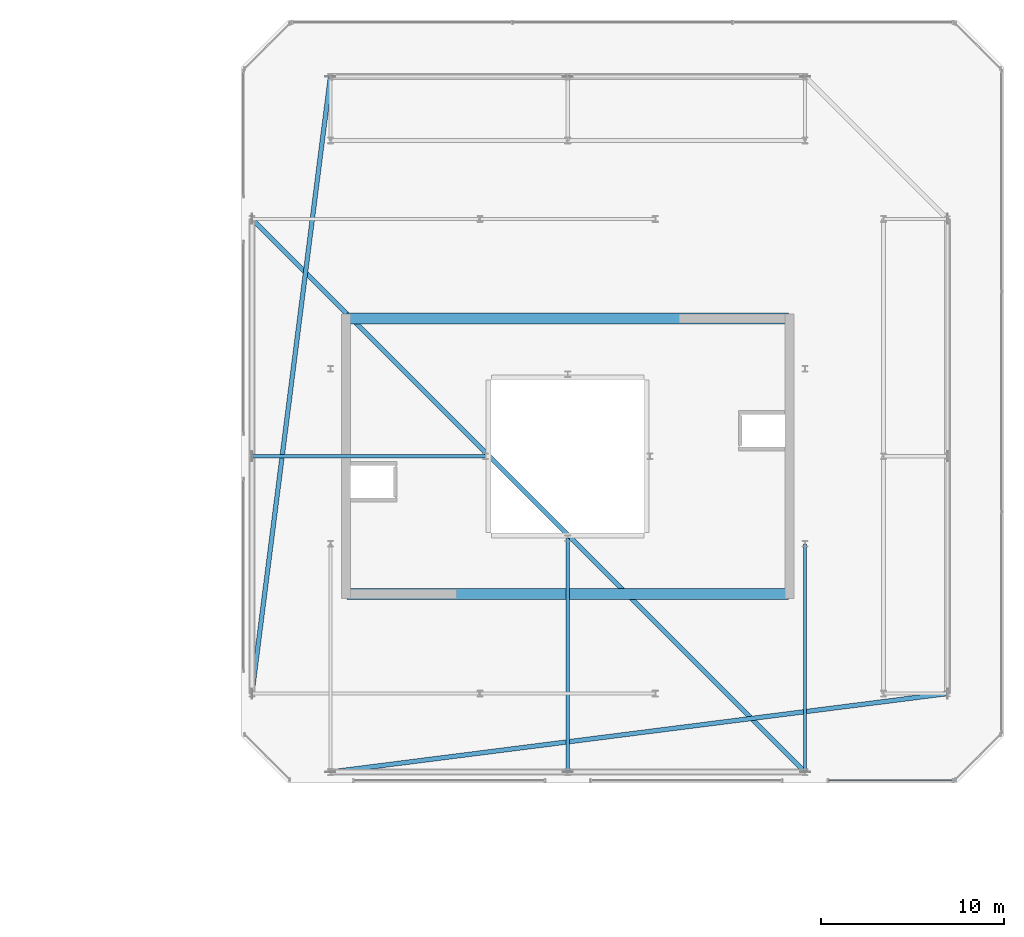
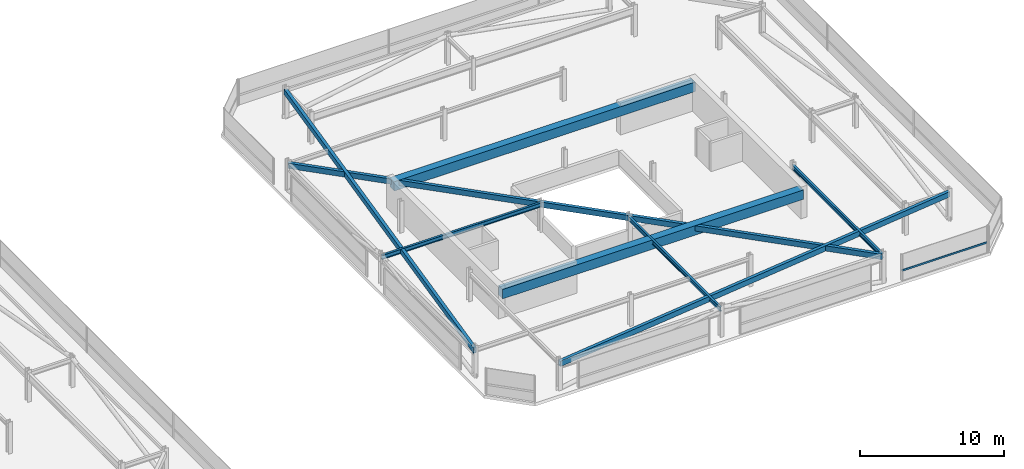
# One storey, part 30 of 42: 8 beams, 1 member, 1 element without a shape of its own.
"""IFC4 building model written with IfcOpenShell, lengths in metres."""

import ifcopenshell
import ifcopenshell.guid

model = None  # the IFC model being written
_history = None  # IfcOwnerHistory: only IFC2X3 demands one
_inside = {}  # id of a spatial element -> (the spatial element, [elements in it])
_under = {}  # id of a project, library or spatial element -> (it, [spatial elements below it])
_declared = {}  # id of a project -> (the project, [libraries it declares])
_typed = {}  # id of a type object -> (the type object, [elements of that type])
_made_of = {}  # id of a material, layer set ... -> (it, [elements and type objects made of it])


def new_model(schema):
    """Start an empty IFC model of exactly this schema.

    Asked for "IFC4X3", IfcOpenShell would pick the latest addendum, in which some entities
    have other attributes; the version numbers below select the first issue.
    IFC2X3 requires an IfcOwnerHistory on every rooted entity: one is made here for all.
    """
    global model, _history
    if schema == "IFC4X3":
        model = ifcopenshell.file(schema_version=(4, 3, 0, 0))
    else:
        model = ifcopenshell.file(schema=schema)
    _inside.clear()
    _under.clear()
    _declared.clear()
    _typed.clear()
    _made_of.clear()
    _history = None
    if model.schema == "IFC2X3":
        org = make("IfcOrganization", Name="unknown")
        user = make(
            "IfcPersonAndOrganization",
            ThePerson=make("IfcPerson", FamilyName="unknown"),
            TheOrganization=org,
        )
        app = make(
            "IfcApplication",
            ApplicationDeveloper=org,
            Version="unknown",
            ApplicationFullName="unknown",
            ApplicationIdentifier="unknown",
        )
        _history = make(
            "IfcOwnerHistory",
            OwningUser=user,
            OwningApplication=app,
            ChangeAction="ADDED",
            CreationDate=0,
        )
    return model


def make(cls, **values):
    """One entity of the class cls with the attributes given. An attribute that is None is left unset."""
    return model.create_entity(
        cls, **{name: value for name, value in values.items() if value is not None}
    )


def rooted(cls, **values):
    """An entity with a GlobalId (a new one), such as an element, a storey or a relation."""
    return make(cls, GlobalId=ifcopenshell.guid.new(), OwnerHistory=_history, **values)


def si_unit(unit_type, name, prefix=None):
    """IfcSIUnit, for example si_unit("LENGTHUNIT", "METRE", prefix="MILLI")."""
    return make("IfcSIUnit", UnitType=unit_type, Prefix=prefix, Name=name)


def assignment(units):
    """IfcUnitAssignment: the units of a project."""
    return None if units is None else make("IfcUnitAssignment", Units=units)


def point(xyz):
    """IfcCartesianPoint."""
    return None if xyz is None else make("IfcCartesianPoint", Coordinates=xyz)


def direction(xyz):
    """IfcDirection."""
    return None if xyz is None else make("IfcDirection", DirectionRatios=xyz)


def frame(location, z_axis=None, x_axis=None):
    """IfcAxis2Placement3D, a coordinate frame: its origin and axes. An axis left out is left unset."""
    return make(
        "IfcAxis2Placement3D",
        Location=point(location),
        Axis=direction(z_axis),
        RefDirection=direction(x_axis),
    )


def frame_2d(location, x_axis=None):
    """IfcAxis2Placement2D, a coordinate frame in the plane: its origin and x axis."""
    return make(
        "IfcAxis2Placement2D", Location=point(location), RefDirection=direction(x_axis)
    )


def origin():
    """The frame at (0, 0, 0) with its axes left unset."""
    return frame((0.0, 0.0, 0.0))


def origin_2d():
    """The frame at (0, 0) in the plane with its x axis left unset."""
    return frame_2d((0.0, 0.0))


def place(relative_to, where):
    """IfcLocalPlacement: puts the frame where relative to a parent placement (None: the world)."""
    return make(
        "IfcLocalPlacement", PlacementRelTo=relative_to, RelativePlacement=where
    )


def context(
    kind, dimensions, precision=None, world=None, true_north=None, identifier=None
):
    """IfcGeometricRepresentationContext, for example the 3D "Model" context."""
    return make(
        "IfcGeometricRepresentationContext",
        ContextIdentifier=identifier,
        ContextType=kind,
        CoordinateSpaceDimension=dimensions,
        Precision=precision,
        WorldCoordinateSystem=world,
        TrueNorth=true_north,
    )


def subcontext(parent, identifier, kind, view, scale=None):
    """IfcGeometricRepresentationSubContext, for example "Body" below "Model"."""
    return make(
        "IfcGeometricRepresentationSubContext",
        ContextIdentifier=identifier,
        ContextType=kind,
        ParentContext=parent,
        TargetScale=scale,
        TargetView=view,
    )


def project(units=None, contexts=None):
    """IfcProject with its units and contexts."""
    return rooted(
        "IfcProject",
        Name="project",
        RepresentationContexts=contexts,
        UnitsInContext=assignment(units),
    )


def spatial(cls, under=None, at=None, **own):
    """A site, building, storey or space (cls), placed at a placement, below another one or the project."""
    s = rooted(cls, ObjectPlacement=at, **own)
    if under is not None:
        _under.setdefault(under.id(), (under, []))[1].append(s)
    return s


def profile(cls, at=None, kind="AREA", **sizes):
    """A parametric profile (cls). Its sizes go by their IFC names, for example OverallWidth=200.0."""
    return make(cls, ProfileType=kind, Position=at, **sizes)


def rectangle(**sizes):
    """IfcRectangleProfileDef."""
    return profile("IfcRectangleProfileDef", **sizes)


def hollow_rectangle(**sizes):
    """IfcRectangleHollowProfileDef."""
    return profile("IfcRectangleHollowProfileDef", **sizes)


def i_section(**sizes):
    """IfcIShapeProfileDef."""
    return profile("IfcIShapeProfileDef", **sizes)


def extrude(swept, where, along, depth):
    """IfcExtrudedAreaSolid: the profile swept, set in the frame where, extruded along a direction by depth."""
    return make(
        "IfcExtrudedAreaSolid",
        SweptArea=swept,
        Position=where,
        ExtrudedDirection=direction(along),
        Depth=depth,
    )


def shape(context_of_items, identifier, shape_type, items):
    """IfcShapeRepresentation: the items that make up one representation, for example the "Body"."""
    return make(
        "IfcShapeRepresentation",
        ContextOfItems=context_of_items,
        RepresentationIdentifier=identifier,
        RepresentationType=shape_type,
        Items=items,
    )


def material(Name=None, Category=None):
    """IfcMaterial."""
    return make("IfcMaterial", Name=Name, Category=Category)


def material_profile(
    of_material, cross_section, Name=None, Category=None, Priority=None
):
    """IfcMaterialProfile: a cross section and its material."""
    return make(
        "IfcMaterialProfile",
        Name=Name,
        Material=of_material,
        Profile=cross_section,
        Priority=Priority,
        Category=Category,
    )


def profile_set(profiles, Name=None, composite=None):
    """IfcMaterialProfileSet."""
    return make(
        "IfcMaterialProfileSet",
        Name=Name,
        MaterialProfiles=profiles,
        CompositeProfile=composite,
    )


def made_of(thing, what):
    """Note that an element or type object is made of a material, layer set ...; save() writes the relation."""
    if what is not None:
        _made_of.setdefault(what.id(), (what, []))[1].append(thing)
    return thing


def type_object(cls, material=None, **own):
    """A type object (cls), such as IfcWallType, which elements share."""
    return made_of(rooted(cls, **own), material)


def element(
    cls,
    number,
    at=None,
    inside=None,
    cuts=None,
    type_object=None,
    material=None,
    context=None,
    identifier="Body",
    shape_type=None,
    held_by="IfcProductDefinitionShape",
    body=None,
    shapes=None,
    **own,
):
    """One element of the class cls, such as IfcWall. Its Tag is "e" and its number.

    at: its placement. inside: the storey or other place that contains it. cuts: it is an
    opening in that element (IfcRelVoidsElement). A single representation is given by context,
    identifier, shape_type and body (its items); several are given by shapes. held_by: the class
    of the entity that holds the representations. save() writes the other relations.
    """
    e = rooted(cls, Tag="e%d" % number, ObjectPlacement=at, **own)
    if body is not None:
        shapes = [shape(context, identifier, shape_type, body)]
    if shapes is not None:
        e.Representation = make(held_by, Representations=shapes)
    if inside is not None:
        _inside.setdefault(inside.id(), (inside, []))[1].append(e)
    if cuts is not None:
        rooted(
            "IfcRelVoidsElement", RelatingBuildingElement=cuts, RelatedOpeningElement=e
        )
    if type_object is not None:
        _typed.setdefault(type_object.id(), (type_object, []))[1].append(e)
    return made_of(e, material)


def aggregate(whole, parts):
    """IfcRelAggregates: a whole, such as a stair, and the parts it consists of."""
    return rooted("IfcRelAggregates", RelatingObject=whole, RelatedObjects=parts)


def save(model, path):
    """Write the relations noted so far, then the file.

    IfcRelAggregates (storeys below a building ...), IfcRelContainedInSpatialStructure (elements
    in a storey), IfcRelDefinesByType, IfcRelAssociatesMaterial and IfcRelDeclares: one each for
    every whole, place, type object, material and project.
    """
    for whole, parts in _under.values():
        aggregate(whole, parts)
    for where, things in _inside.values():
        rooted(
            "IfcRelContainedInSpatialStructure",
            RelatedElements=things,
            RelatingStructure=where,
        )
    for kind, things in _typed.values():
        rooted("IfcRelDefinesByType", RelatedObjects=things, RelatingType=kind)
    for what, things in _made_of.values():
        rooted("IfcRelAssociatesMaterial", RelatedObjects=things, RelatingMaterial=what)
    for by, libraries in _declared.values():
        rooted("IfcRelDeclares", RelatingContext=by, RelatedDefinitions=libraries)
    model.write(path)


model = new_model("IFC4")

# Units and contexts
model_context = context("Model", 3, precision=1e-05, world=origin(), true_north=direction((0.0, 1.0)))
body_context = subcontext(model_context, "Body", "Model", "MODEL_VIEW")
ifc_project = project(units=[si_unit("LENGTHUNIT", "METRE"), si_unit("AREAUNIT", "SQUARE_METRE"), si_unit("VOLUMEUNIT", "CUBIC_METRE"), si_unit("PLANEANGLEUNIT", "RADIAN"), si_unit("MASSUNIT", "GRAM", prefix="KILO")], contexts=[model_context])

# Site, building, storey
site_placement = place(None, origin())
site = spatial("IfcSite", under=ifc_project, at=site_placement, CompositionType="ELEMENT")
building_placement = place(site_placement, origin())
building = spatial("IfcBuilding", under=site, at=building_placement, Name="Thornwick Lancets Civic Towers", CompositionType="ELEMENT")
storey_placement = place(building_placement, frame((0.0, 0.0, 284.10009765625)))
storey = spatial("IfcBuildingStorey", under=building, at=storey_placement, Name="C02", CompositionType="ELEMENT", Elevation=284.10009765625)

# Beams
ifc_material_1 = material(Name="Concrete C60/75", Category="concrete")
ifc_material_profile_1 = material_profile(ifc_material_1, rectangle(XDim=0.60009765625, YDim=0.800048828125, at=origin_2d()), Name="RC 600x800")
ifc_profile_set_1 = profile_set([ifc_material_profile_1], Name="Concrete C60/75")
beam_type_1 = type_object("IfcBeamType", Name="BM_COUP_RC800", PredefinedType="BEAM", material=ifc_profile_set_1)
for number, where, z_axis, x_axis, name in (
    (1, (76.39990234375, 34.550048828125, 2.039794921875), (1.0, 0.0, 0.0), (0.0, 1.0, 0.0), "CB-C02-B1"),
    (2, (76.39990234375, 19.449951171875, 2.039794921875), (1.0, 0.0, 0.0), (0.0, 1.0, 0.0), "CB-C02-B2"),
):
    element("IfcBeam", number, at=place(storey_placement, frame(where, z_axis=z_axis, x_axis=x_axis)), inside=storey, type_object=beam_type_1, Name=name, PredefinedType="BEAM", context=body_context, shape_type="SweptSolid", body=[
        extrude(rectangle(XDim=0.60009765625, YDim=0.800048828125, at=origin_2d()), origin(), (0.0, 0.0, 1.0), 24.2001953125),
    ])
ifc_material_2 = material(Name="Steel S355JR", Category="steel")
ifc_material_profile_2 = material_profile(ifc_material_2, i_section(OverallWidth=0.173095703125, OverallDepth=0.36328125, WebThickness=0.009033203125, FlangeThickness=0.015625, FilletRadius=0.01025390625, at=origin_2d()), Name="UKB 356x171x67")
ifc_profile_set_2 = profile_set([ifc_material_profile_2], Name="Steel S355JR")
beam_type_2 = type_object("IfcBeamType", Name="BM_JOIST_356_67", PredefinedType="JOIST", material=ifc_profile_set_2)
beam_1_placement = place(storey_placement, frame((84.0, 27.0, 2.25830078125), z_axis=(-1.0, 0.0, 0.0), x_axis=(0.0, -1.0, 0.0)))
element("IfcBeam", 3, at=beam_1_placement, inside=storey, type_object=beam_type_2, Name="BM-RADIN-C02-B08", PredefinedType="JOIST", context=body_context, shape_type="SweptSolid", body=[
    extrude(i_section(OverallWidth=0.173095703125, OverallDepth=0.36328125, WebThickness=0.009033203125, FlangeThickness=0.015625, FilletRadius=0.01025390625, at=origin_2d()), origin(), (0.0, 0.0, 1.0), 12.800048828125),
])
beam_2_placement = place(storey_placement, frame((101.5, 22.199951171875, 2.25830078125), z_axis=(0.0, -1.0, 0.0), x_axis=(1.0, 0.0, 0.0)))
element("IfcBeam", 4, at=beam_2_placement, inside=storey, type_object=beam_type_2, Name="BM-RADIN-C02-B10", PredefinedType="JOIST", context=body_context, shape_type="SweptSolid", body=[
    extrude(i_section(OverallWidth=0.173095703125, OverallDepth=0.36328125, WebThickness=0.009033203125, FlangeThickness=0.015625, FilletRadius=0.01025390625, at=origin_2d()), origin(), (0.0, 0.0, 1.0), 12.5),
])
beam_3_placement = place(storey_placement, frame((88.5, 22.5, 2.25830078125), z_axis=(0.0, -1.0, 0.0), x_axis=(1.0, 0.0, 0.0)))
element("IfcBeam", 5, at=beam_3_placement, inside=storey, type_object=beam_type_2, Name="BM-RADIN-C02-B11", PredefinedType="JOIST", context=body_context, shape_type="SweptSolid", body=[
    extrude(i_section(OverallWidth=0.173095703125, OverallDepth=0.36328125, WebThickness=0.009033203125, FlangeThickness=0.015625, FilletRadius=0.01025390625, at=origin_2d()), origin(), (0.0, 0.0, 1.0), 12.800048828125),
])
ifc_material_profile_3 = material_profile(ifc_material_2, hollow_rectangle(XDim=0.25, YDim=0.449951171875, WallThickness=0.01611328125, at=origin_2d()), Name="RHS 450x250x16")
ifc_profile_set_3 = profile_set([ifc_material_profile_3], Name="Steel S355JR")
beam_type_3 = type_object("IfcBeamType", Name="BM_RING_RHS450", PredefinedType="BEAM", material=ifc_profile_set_3)
beam_4_placement = place(storey_placement, frame((75.5, 47.800048828125, 2.21484375), z_axis=(-0.126202998662, -0.992004437051, 0.0), x_axis=(0.992004437051, -0.126202998662, 0.0)))
element("IfcBeam", 6, at=beam_4_placement, inside=storey, type_object=beam_type_3, Name="BM-CHAMF-C02-B-C1", PredefinedType="BEAM", context=body_context, shape_type="SweptSolid", body=[
    extrude(hollow_rectangle(XDim=0.25, YDim=0.449951171875, WallThickness=0.01611328125, at=origin_2d()), origin(), (0.0, 0.0, 1.0), 34.072509765625),
])
beam_5_placement = place(storey_placement, frame((71.199951171875, 40.0, 2.21484375), z_axis=(0.707106781187, -0.707106781187, 0.0), x_axis=(0.707106781187, 0.707106781187, 0.0)))
element("IfcBeam", 7, at=beam_5_placement, inside=storey, type_object=beam_type_3, Name="BM-CHAMF-C02-B-C2", PredefinedType="BEAM", context=body_context, shape_type="SweptSolid", body=[
    extrude(hollow_rectangle(XDim=0.25, YDim=0.449951171875, WallThickness=0.01611328125, at=origin_2d()), origin(), (0.0, 0.0, 1.0), 42.850830078125),
])
beam_6_placement = place(storey_placement, frame((75.5, 9.699951171875, 2.21484375), z_axis=(0.992004437051, 0.126202998662, 0.0), x_axis=(-0.126202998662, 0.992004437051, 0.0)))
element("IfcBeam", 8, at=beam_6_placement, inside=storey, type_object=beam_type_3, Name="BM-CHAMF-C02-B-C3", PredefinedType="BEAM", context=body_context, shape_type="SweptSolid", body=[
    extrude(hollow_rectangle(XDim=0.25, YDim=0.449951171875, WallThickness=0.01611328125, at=origin_2d()), origin(), (0.0, 0.0, 1.0), 34.072509765625),
])

# Curtain wall, member
ifc_material_3 = material(Name="Crown ring acoustic-louvre and glazing screen wall", Category="glass")
curtain_wall_type = type_object("IfcCurtainWallType", Name="CW_SYS_07", PredefinedType="NOTDEFINED", material=ifc_material_3)
curtain_wall_placement = place(storey_placement, origin())
curtain_wall = element("IfcCurtainWall", 9, at=curtain_wall_placement, inside=storey, type_object=curtain_wall_type, Name="C02 Curtain Wall CW-C02-B-E0-S3", PredefinedType="NOTDEFINED")
ifc_material_4 = material(Name="Thermally broken bronze aluminium S355", Category="steel")
ifc_material_profile_4 = material_profile(ifc_material_4, hollow_rectangle(XDim=0.074951171875, YDim=0.14990234375, WallThickness=0.0048828125, at=origin_2d()), Name="RHS 150x75x5")
ifc_profile_set_4 = profile_set([ifc_material_profile_4], Name="Thermally broken bronze aluminium S355")
member_type = type_object("IfcMemberType", Name="CW_TRN_150", PredefinedType="USERDEFINED", material=ifc_profile_set_4)
member_placement = place(storey_placement, frame((102.77001953125, 9.2353515625, 0.849853515625), z_axis=(1.0, 0.0, 0.0), x_axis=(0.0, 1.0, 0.0)))
member = element("IfcMember", 10, at=member_placement, type_object=member_type, Name="CW-C02-B-E0-S3 Transom 0", ObjectType="TRANSOM", PredefinedType="USERDEFINED", context=body_context, shape_type="SweptSolid", body=[
    extrude(hollow_rectangle(XDim=0.074951171875, YDim=0.14990234375, WallThickness=0.0048828125, at=origin_2d()), origin(), (0.0, 0.0, 1.0), 6.811279296875),
])
aggregate(curtain_wall, [member])

save(model, "model.ifc")
